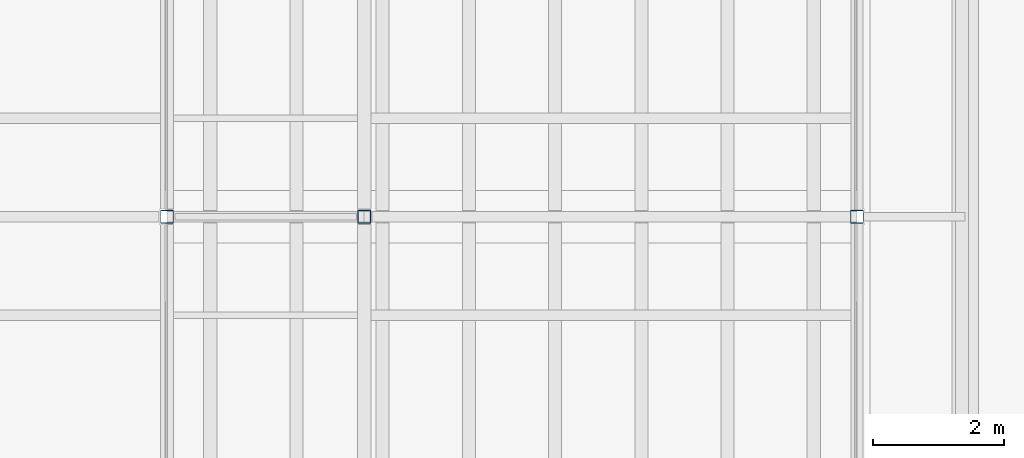
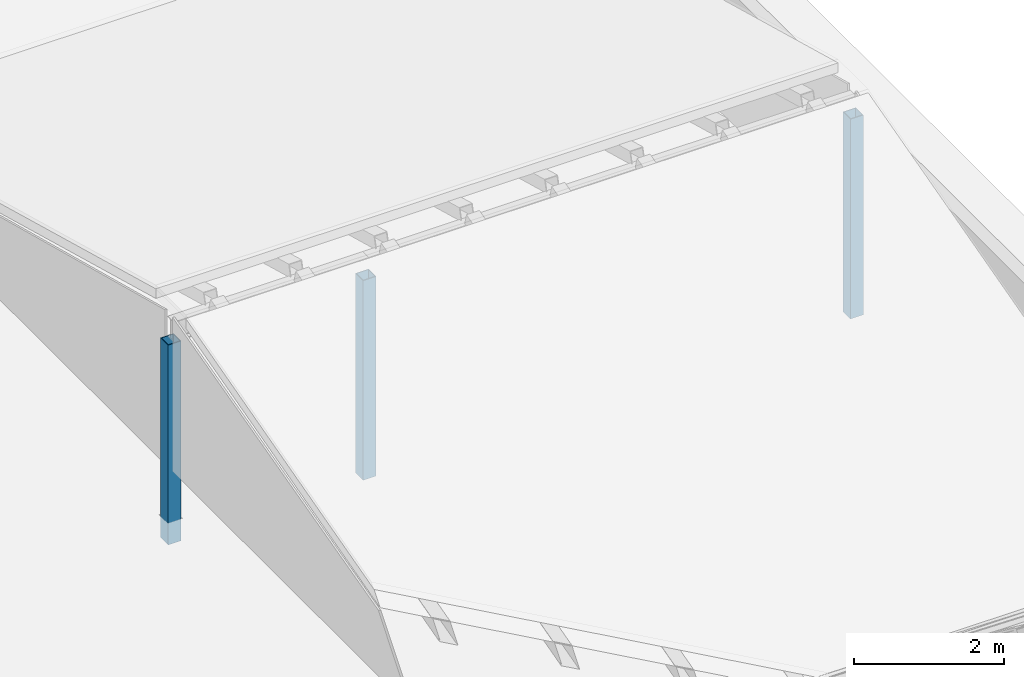
# One storey, part 4 of 121: 3 columns.
"""IFC4 building model written with IfcOpenShell, lengths in metres."""

import ifcopenshell
import ifcopenshell.guid

model = None  # the IFC model being written
_history = None  # IfcOwnerHistory: only IFC2X3 demands one
_inside = {}  # id of a spatial element -> (the spatial element, [elements in it])
_under = {}  # id of a project, library or spatial element -> (it, [spatial elements below it])
_declared = {}  # id of a project -> (the project, [libraries it declares])
_typed = {}  # id of a type object -> (the type object, [elements of that type])
_made_of = {}  # id of a material, layer set ... -> (it, [elements and type objects made of it])


def new_model(schema):
    """Start an empty IFC model of exactly this schema.

    Asked for "IFC4X3", IfcOpenShell would pick the latest addendum, in which some entities
    have other attributes; the version numbers below select the first issue.
    IFC2X3 requires an IfcOwnerHistory on every rooted entity: one is made here for all.
    """
    global model, _history
    if schema == "IFC4X3":
        model = ifcopenshell.file(schema_version=(4, 3, 0, 0))
    else:
        model = ifcopenshell.file(schema=schema)
    _inside.clear()
    _under.clear()
    _declared.clear()
    _typed.clear()
    _made_of.clear()
    _history = None
    if model.schema == "IFC2X3":
        org = make("IfcOrganization", Name="unknown")
        user = make(
            "IfcPersonAndOrganization",
            ThePerson=make("IfcPerson", FamilyName="unknown"),
            TheOrganization=org,
        )
        app = make(
            "IfcApplication",
            ApplicationDeveloper=org,
            Version="unknown",
            ApplicationFullName="unknown",
            ApplicationIdentifier="unknown",
        )
        _history = make(
            "IfcOwnerHistory",
            OwningUser=user,
            OwningApplication=app,
            ChangeAction="ADDED",
            CreationDate=0,
        )
    return model


def make(cls, **values):
    """One entity of the class cls with the attributes given. An attribute that is None is left unset."""
    return model.create_entity(
        cls, **{name: value for name, value in values.items() if value is not None}
    )


def rooted(cls, **values):
    """An entity with a GlobalId (a new one), such as an element, a storey or a relation."""
    return make(cls, GlobalId=ifcopenshell.guid.new(), OwnerHistory=_history, **values)


def si_unit(unit_type, name, prefix=None):
    """IfcSIUnit, for example si_unit("LENGTHUNIT", "METRE", prefix="MILLI")."""
    return make("IfcSIUnit", UnitType=unit_type, Prefix=prefix, Name=name)


def assignment(units):
    """IfcUnitAssignment: the units of a project."""
    return None if units is None else make("IfcUnitAssignment", Units=units)


def point(xyz):
    """IfcCartesianPoint."""
    return None if xyz is None else make("IfcCartesianPoint", Coordinates=xyz)


def direction(xyz):
    """IfcDirection."""
    return None if xyz is None else make("IfcDirection", DirectionRatios=xyz)


def frame(location, z_axis=None, x_axis=None):
    """IfcAxis2Placement3D, a coordinate frame: its origin and axes. An axis left out is left unset."""
    return make(
        "IfcAxis2Placement3D",
        Location=point(location),
        Axis=direction(z_axis),
        RefDirection=direction(x_axis),
    )


def frame_2d(location, x_axis=None):
    """IfcAxis2Placement2D, a coordinate frame in the plane: its origin and x axis."""
    return make(
        "IfcAxis2Placement2D", Location=point(location), RefDirection=direction(x_axis)
    )


def origin():
    """The frame at (0, 0, 0) with its axes left unset."""
    return frame((0.0, 0.0, 0.0))


def origin_2d():
    """The frame at (0, 0) in the plane with its x axis left unset."""
    return frame_2d((0.0, 0.0))


def place(relative_to, where):
    """IfcLocalPlacement: puts the frame where relative to a parent placement (None: the world)."""
    return make(
        "IfcLocalPlacement", PlacementRelTo=relative_to, RelativePlacement=where
    )


def context(
    kind, dimensions, precision=None, world=None, true_north=None, identifier=None
):
    """IfcGeometricRepresentationContext, for example the 3D "Model" context."""
    return make(
        "IfcGeometricRepresentationContext",
        ContextIdentifier=identifier,
        ContextType=kind,
        CoordinateSpaceDimension=dimensions,
        Precision=precision,
        WorldCoordinateSystem=world,
        TrueNorth=true_north,
    )


def subcontext(parent, identifier, kind, view, scale=None):
    """IfcGeometricRepresentationSubContext, for example "Body" below "Model"."""
    return make(
        "IfcGeometricRepresentationSubContext",
        ContextIdentifier=identifier,
        ContextType=kind,
        ParentContext=parent,
        TargetScale=scale,
        TargetView=view,
    )


def project(units=None, contexts=None):
    """IfcProject with its units and contexts."""
    return rooted(
        "IfcProject",
        Name="project",
        RepresentationContexts=contexts,
        UnitsInContext=assignment(units),
    )


def spatial(cls, under=None, at=None, **own):
    """A site, building, storey or space (cls), placed at a placement, below another one or the project."""
    s = rooted(cls, ObjectPlacement=at, **own)
    if under is not None:
        _under.setdefault(under.id(), (under, []))[1].append(s)
    return s


def profile(cls, at=None, kind="AREA", **sizes):
    """A parametric profile (cls). Its sizes go by their IFC names, for example OverallWidth=200.0."""
    return make(cls, ProfileType=kind, Position=at, **sizes)


def hollow_rectangle(**sizes):
    """IfcRectangleHollowProfileDef."""
    return profile("IfcRectangleHollowProfileDef", **sizes)


def extrude(swept, where, along, depth):
    """IfcExtrudedAreaSolid: the profile swept, set in the frame where, extruded along a direction by depth."""
    return make(
        "IfcExtrudedAreaSolid",
        SweptArea=swept,
        Position=where,
        ExtrudedDirection=direction(along),
        Depth=depth,
    )


def shape(context_of_items, identifier, shape_type, items):
    """IfcShapeRepresentation: the items that make up one representation, for example the "Body"."""
    return make(
        "IfcShapeRepresentation",
        ContextOfItems=context_of_items,
        RepresentationIdentifier=identifier,
        RepresentationType=shape_type,
        Items=items,
    )


def material(Name=None, Category=None):
    """IfcMaterial."""
    return make("IfcMaterial", Name=Name, Category=Category)


def material_profile(
    of_material, cross_section, Name=None, Category=None, Priority=None
):
    """IfcMaterialProfile: a cross section and its material."""
    return make(
        "IfcMaterialProfile",
        Name=Name,
        Material=of_material,
        Profile=cross_section,
        Priority=Priority,
        Category=Category,
    )


def profile_set(profiles, Name=None, composite=None):
    """IfcMaterialProfileSet."""
    return make(
        "IfcMaterialProfileSet",
        Name=Name,
        MaterialProfiles=profiles,
        CompositeProfile=composite,
    )


def made_of(thing, what):
    """Note that an element or type object is made of a material, layer set ...; save() writes the relation."""
    if what is not None:
        _made_of.setdefault(what.id(), (what, []))[1].append(thing)
    return thing


def type_object(cls, material=None, **own):
    """A type object (cls), such as IfcWallType, which elements share."""
    return made_of(rooted(cls, **own), material)


def element(
    cls,
    number,
    at=None,
    inside=None,
    cuts=None,
    type_object=None,
    material=None,
    context=None,
    identifier="Body",
    shape_type=None,
    held_by="IfcProductDefinitionShape",
    body=None,
    shapes=None,
    **own,
):
    """One element of the class cls, such as IfcWall. Its Tag is "e" and its number.

    at: its placement. inside: the storey or other place that contains it. cuts: it is an
    opening in that element (IfcRelVoidsElement). A single representation is given by context,
    identifier, shape_type and body (its items); several are given by shapes. held_by: the class
    of the entity that holds the representations. save() writes the other relations.
    """
    e = rooted(cls, Tag="e%d" % number, ObjectPlacement=at, **own)
    if body is not None:
        shapes = [shape(context, identifier, shape_type, body)]
    if shapes is not None:
        e.Representation = make(held_by, Representations=shapes)
    if inside is not None:
        _inside.setdefault(inside.id(), (inside, []))[1].append(e)
    if cuts is not None:
        rooted(
            "IfcRelVoidsElement", RelatingBuildingElement=cuts, RelatedOpeningElement=e
        )
    if type_object is not None:
        _typed.setdefault(type_object.id(), (type_object, []))[1].append(e)
    return made_of(e, material)


def aggregate(whole, parts):
    """IfcRelAggregates: a whole, such as a stair, and the parts it consists of."""
    return rooted("IfcRelAggregates", RelatingObject=whole, RelatedObjects=parts)


def save(model, path):
    """Write the relations noted so far, then the file.

    IfcRelAggregates (storeys below a building ...), IfcRelContainedInSpatialStructure (elements
    in a storey), IfcRelDefinesByType, IfcRelAssociatesMaterial and IfcRelDeclares: one each for
    every whole, place, type object, material and project.
    """
    for whole, parts in _under.values():
        aggregate(whole, parts)
    for where, things in _inside.values():
        rooted(
            "IfcRelContainedInSpatialStructure",
            RelatedElements=things,
            RelatingStructure=where,
        )
    for kind, things in _typed.values():
        rooted("IfcRelDefinesByType", RelatedObjects=things, RelatingType=kind)
    for what, things in _made_of.values():
        rooted("IfcRelAssociatesMaterial", RelatedObjects=things, RelatingMaterial=what)
    for by, libraries in _declared.values():
        rooted("IfcRelDeclares", RelatingContext=by, RelatedDefinitions=libraries)
    model.write(path)


model = new_model("IFC4")

# Units and contexts
model_context = context("Model", 3, precision=1e-05, world=origin(), true_north=direction((0.0, 1.0)))
body_context = subcontext(model_context, "Body", "Model", "MODEL_VIEW")
ifc_project = project(units=[si_unit("LENGTHUNIT", "METRE"), si_unit("AREAUNIT", "SQUARE_METRE"), si_unit("VOLUMEUNIT", "CUBIC_METRE"), si_unit("PLANEANGLEUNIT", "RADIAN"), si_unit("MASSUNIT", "GRAM", prefix="KILO")], contexts=[model_context])

# Site, building, storey
site_placement = place(None, origin())
site = spatial("IfcSite", under=ifc_project, at=site_placement, CompositionType="ELEMENT")
building_placement = place(site_placement, origin())
building = spatial("IfcBuilding", under=site, at=building_placement, Name="Golden Quay Civic Hall", CompositionType="ELEMENT")
storey_placement = place(building_placement, frame((0.0, 0.0, 18.60009765625)))
storey = spatial("IfcBuildingStorey", under=building, at=storey_placement, Name="L04", CompositionType="ELEMENT", Elevation=18.60009765625)

# Columns
ifc_material = material(Name="Steel S355", Category="steel")
ifc_material_profile = material_profile(ifc_material, hollow_rectangle(XDim=0.199951171875, YDim=0.199951171875, WallThickness=0.010009765625, at=origin_2d()), Name="SHS 200x200x10")
ifc_profile_set = profile_set([ifc_material_profile], Name="Steel S355")
column_type = type_object("IfcColumnType", Name="Steel roof post SHS 200x200x10", PredefinedType="COLUMN", material=ifc_profile_set)
for number, where, z_axis, x_axis, name in (
    (1, (106.5, 27.0, -0.25), (0.0, 0.0, 1.0), (1.0, 0.0, 0.0), "Roof post 106.5/27"),
    (2, (109.5, 27.0, -0.25), (0.0, 0.0, 1.0), (1.0, 0.0, 0.0), "Roof post 109.5/27"),
    (3, (117.0, 27.0, -0.25), (0.0, 0.0, 1.0), (1.0, 0.0, 0.0), "Roof post 117/27"),
):
    element("IfcColumn", number, at=place(storey_placement, frame(where, z_axis=z_axis, x_axis=x_axis)), inside=storey, type_object=column_type, Name=name, PredefinedType="COLUMN", context=body_context, shape_type="SweptSolid", body=[
        extrude(hollow_rectangle(XDim=0.199951171875, YDim=0.199951171875, WallThickness=0.010009765625, at=origin_2d()), origin(), (0.0, 0.0, 1.0), 3.25),
    ])

save(model, "model.ifc")
